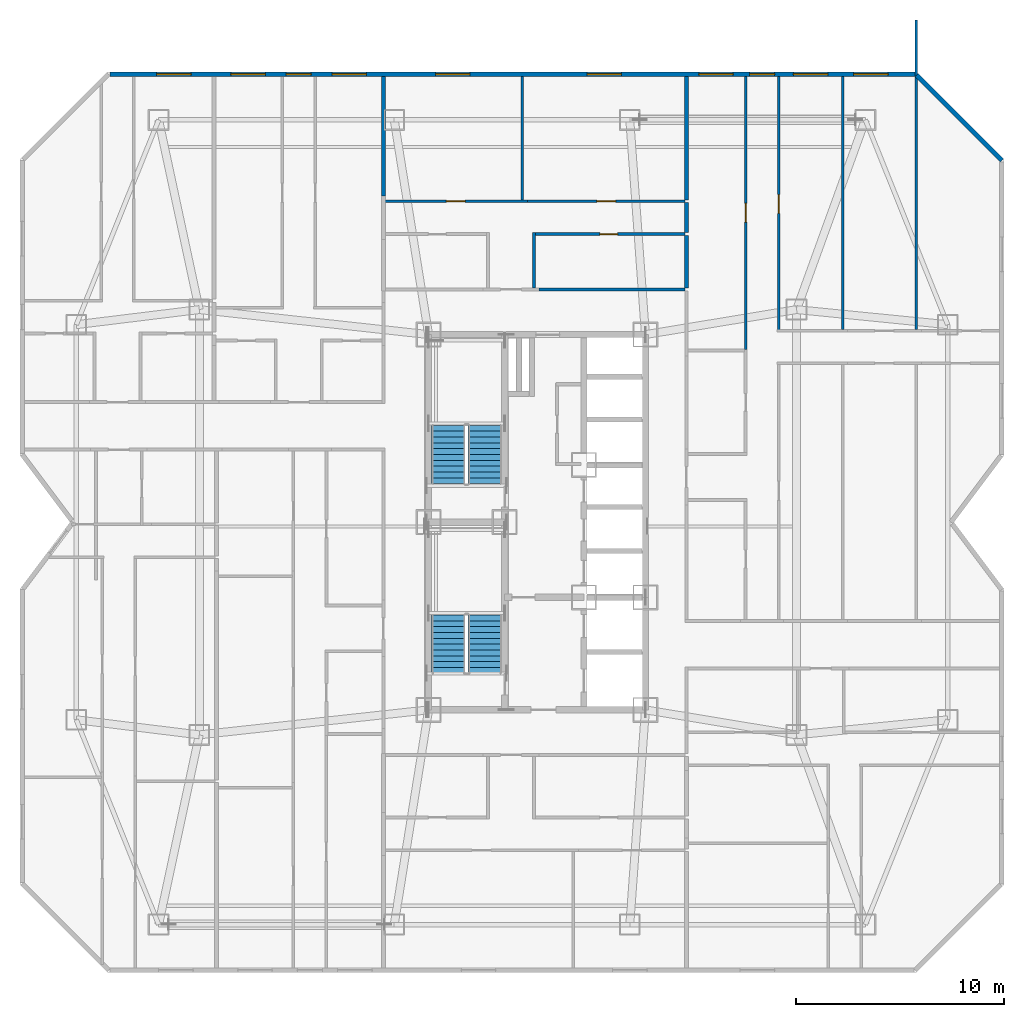
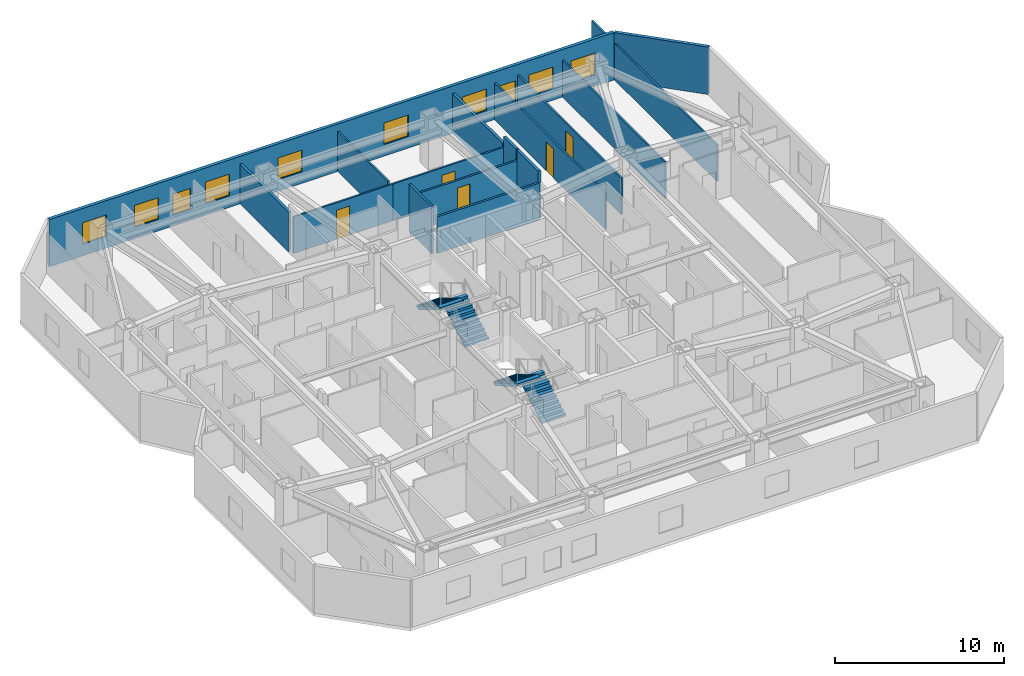
# One storey, part 10 of 11: 16 walls, 10 windows, 5 doors, 4 stair flights, 15 openings, 2 elements without a shape of their own.
"""IFC4 building model written with IfcOpenShell, lengths in metres."""

from ifc_helpers import new_model, si_unit, direction, frame, frame_2d, origin, place, context, subcontext, project, spatial, polyline, rectangle, outline, extrude, material, layer, layer_set, type_object, element, fill, aggregate, save


model = new_model("IFC4")

# Units and contexts
model_context = context("Model", 3, precision=1e-05, world=origin(), true_north=direction((0.0, 1.0)))
body_context = subcontext(model_context, "Body", "Model", "MODEL_VIEW")
ifc_project = project(units=[si_unit("LENGTHUNIT", "METRE"), si_unit("AREAUNIT", "SQUARE_METRE"), si_unit("VOLUMEUNIT", "CUBIC_METRE"), si_unit("PLANEANGLEUNIT", "RADIAN"), si_unit("MASSUNIT", "GRAM", prefix="KILO")], contexts=[model_context])

# Site, building, storey
site_placement = place(None, origin())
site = spatial("IfcSite", under=ifc_project, at=site_placement, CompositionType="ELEMENT")
building_placement = place(site_placement, origin())
building = spatial("IfcBuilding", under=site, at=building_placement, Name="Khamvora Tower", CompositionType="ELEMENT")
storey_placement = place(building_placement, frame((0.0, 0.0, 116.5)))
storey = spatial("IfcBuildingStorey", under=building, at=storey_placement, Name="L29", CompositionType="ELEMENT", Elevation=116.5)

# Walls
ifc_material_1 = material(Name="Fire-Rated Drywall and Steel Stud", Category="steel")
ifc_layer_1 = layer(ifc_material_1, 0.14990234375)
ifc_layer_set_1 = layer_set([ifc_layer_1], Name="Fire-Rated Drywall and Steel Stud")
wall_type_1 = type_object("IfcWallType", Name="WAL-CORR-150", PredefinedType="STANDARD", material=ifc_layer_set_1)
wall_1_placement = place(storey_placement, frame((34.299072265625, 39.1650390625, 0.0), z_axis=(0.0, 0.0, 1.0), x_axis=(1.0, 0.0, 0.0)))
element("IfcWall", 1, at=wall_1_placement, inside=storey, type_object=wall_type_1, Name="L29 interior partition wall 028", PredefinedType="STANDARD", context=body_context, shape_type="SweptSolid", body=[
    extrude(rectangle(XDim=7.0009765625, YDim=0.14990234375, at=frame_2d((3.50048828125, 0.0))), origin(), (0.0, 0.0, 1.0), 2.64697265625),
])
ifc_material_2 = material(Name="Acoustic Double-Stud Fire Wall", Category="gypsum")
ifc_layer_2 = layer(ifc_material_2, 0.179931640625)
ifc_layer_set_2 = layer_set([ifc_layer_2], Name="Acoustic Double-Stud Fire Wall")
wall_type_2 = type_object("IfcWallType", Name="WAL-CORR-180", PredefinedType="STANDARD", material=ifc_layer_set_2)
wall_2_placement = place(storey_placement, frame((26.8349609375, 49.387939453125, 0.0), z_axis=(0.0, 0.0, 1.0), x_axis=(0.0, -1.0, 0.0)))
element("IfcWall", 2, at=wall_2_placement, inside=storey, type_object=wall_type_2, Name="L29 interior partition wall 096", PredefinedType="STANDARD", context=body_context, shape_type="SweptSolid", body=[
    extrude(rectangle(XDim=5.737060546875, YDim=0.179931640625, at=frame_2d((2.86865234375, 0.0))), origin(), (0.0, 0.0, 1.0), 2.8759765625),
])
wall_3_placement = place(storey_placement, frame((41.364990234375, 43.3369140625, 0.0), z_axis=(0.0, 0.0, 1.0), x_axis=(0.0, -1.0, 0.0)))
element("IfcWall", 3, at=wall_3_placement, inside=storey, type_object=wall_type_2, Name="L29 interior partition wall 115", PredefinedType="STANDARD", context=body_context, shape_type="SweptSolid", body=[
    extrude(rectangle(XDim=1.449951171875, YDim=0.179931640625, at=frame_2d((0.72509765625, 0.0))), origin(), (0.0, 0.0, 1.0), 3.429931640625),
])
wall_4_placement = place(storey_placement, frame((41.364990234375, 41.757080078125, 0.0), z_axis=(0.0, 0.0, 1.0), x_axis=(0.0, -1.0, 0.0)))
element("IfcWall", 4, at=wall_4_placement, inside=storey, type_object=wall_type_2, Name="L29 interior partition wall 116", PredefinedType="STANDARD", context=body_context, shape_type="SweptSolid", body=[
    extrude(rectangle(XDim=2.527099609375, YDim=0.179931640625, at=frame_2d((1.263671875, 0.0))), origin(), (0.0, 0.0, 1.0), 3.429931640625),
])
wall_5_placement = place(storey_placement, frame((41.364990234375, 49.387939453125, 0.0), z_axis=(0.0, 0.0, 1.0), x_axis=(0.0, -1.0, 0.0)))
element("IfcWall", 5, at=wall_5_placement, inside=storey, type_object=wall_type_2, Name="L29 interior partition wall 118", PredefinedType="STANDARD", context=body_context, shape_type="SweptSolid", body=[
    extrude(rectangle(XDim=5.9208984375, YDim=0.179931640625, at=frame_2d((2.96044921875, 0.0))), origin(), (0.0, 0.0, 1.0), 2.8759765625),
])

# Wall, openings, windows
ifc_material_3 = material(Name="Precast concrete C40/50", Category="concrete")
ifc_layer_3 = layer(ifc_material_3, 0.219970703125)
ifc_layer_set_3 = layer_set([ifc_layer_3], Name="Precast concrete C40/50")
wall_type_3 = type_object("IfcWallType", Name="WAL-EXT-220", PredefinedType="STANDARD", material=ifc_layer_set_3)
wall_6_placement = place(storey_placement, frame((13.715087890625, 49.489990234375, 0.0), z_axis=(0.0, 0.0, 1.0), x_axis=(1.0, 0.0, 0.0)))
wall_6 = element("IfcWall", 6, at=wall_6_placement, inside=storey, type_object=wall_type_3, Name="L29 exterior facade wall 07.1", PredefinedType="STANDARD", context=body_context, shape_type="SweptSolid", body=[
    extrude(rectangle(XDim=38.638916015625, YDim=0.219970703125, at=frame_2d((19.3193359375, 0.0))), origin(), (0.0, 0.0, 1.0), 3.429931640625),
])
opening_1_placement = place(wall_6_placement, frame((2.242919921875, 0.0, 0.85009765625)))
opening_1 = element("IfcOpeningElement", 7, at=opening_1_placement, cuts=wall_6, Name="Opening WN-06", PredefinedType="OPENING", context=body_context, shape_type="SweptSolid", body=[
    extrude(rectangle(XDim=1.64990234375, YDim=1.550048828125, at=frame_2d((0.824951171875, 0.77490234375))), frame((0.0, 0.119873046875, 0.0), z_axis=(0.0, -1.0, 0.0), x_axis=(1.0, 0.0, 0.0)), (0.0, 0.0, 1.0), 0.239990234375),
])
opening_2_placement = place(wall_6_placement, frame((8.455078125, 0.0, 0.800048828125)))
opening_2 = element("IfcOpeningElement", 8, at=opening_2_placement, cuts=wall_6, Name="Opening WN-03", PredefinedType="OPENING", context=body_context, shape_type="SweptSolid", body=[
    extrude(rectangle(XDim=1.199951171875, YDim=1.5, at=frame_2d((0.60009765625, 0.75))), frame((0.0, 0.119873046875, 0.0), z_axis=(0.0, -1.0, 0.0), x_axis=(1.0, 0.0, 0.0)), (0.0, 0.0, 1.0), 0.239990234375),
])
opening_3_placement = place(wall_6_placement, frame((5.804931640625, 0.0, 0.85009765625)))
opening_3 = element("IfcOpeningElement", 9, at=opening_3_placement, cuts=wall_6, Name="Opening WN-06", PredefinedType="OPENING", context=body_context, shape_type="SweptSolid", body=[
    extrude(rectangle(XDim=1.64990234375, YDim=1.550048828125, at=frame_2d((0.824951171875, 0.77490234375))), frame((0.0, 0.119873046875, 0.0), z_axis=(0.0, -1.0, 0.0), x_axis=(1.0, 0.0, 0.0)), (0.0, 0.0, 1.0), 0.239990234375),
])
opening_4_placement = place(wall_6_placement, frame((10.655029296875, 0.0, 0.85009765625)))
opening_4 = element("IfcOpeningElement", 10, at=opening_4_placement, cuts=wall_6, Name="Opening WN-06", PredefinedType="OPENING", context=body_context, shape_type="SweptSolid", body=[
    extrude(rectangle(XDim=1.64990234375, YDim=1.550048828125, at=frame_2d((0.824951171875, 0.77490234375))), frame((0.0, 0.119873046875, 0.0), z_axis=(0.0, -1.0, 0.0), x_axis=(1.0, 0.0, 0.0)), (0.0, 0.0, 1.0), 0.239990234375),
])
opening_5_placement = place(wall_6_placement, frame((15.6201171875, 0.0, 0.85009765625)))
opening_5 = element("IfcOpeningElement", 11, at=opening_5_placement, cuts=wall_6, Name="Opening WN-06", PredefinedType="OPENING", context=body_context, shape_type="SweptSolid", body=[
    extrude(rectangle(XDim=1.64990234375, YDim=1.550048828125, at=frame_2d((0.824951171875, 0.77490234375))), frame((0.0, 0.119873046875, 0.0), z_axis=(0.0, -1.0, 0.0), x_axis=(1.0, 0.0, 0.0)), (0.0, 0.0, 1.0), 0.239990234375),
])
opening_6_placement = place(wall_6_placement, frame((22.885009765625, 0.0, 0.85009765625)))
opening_6 = element("IfcOpeningElement", 12, at=opening_6_placement, cuts=wall_6, Name="Opening WN-06", PredefinedType="OPENING", context=body_context, shape_type="SweptSolid", body=[
    extrude(rectangle(XDim=1.64990234375, YDim=1.550048828125, at=frame_2d((0.824951171875, 0.77490234375))), frame((0.0, 0.119873046875, 0.0), z_axis=(0.0, -1.0, 0.0), x_axis=(1.0, 0.0, 0.0)), (0.0, 0.0, 1.0), 0.239990234375),
])
opening_7_placement = place(wall_6_placement, frame((28.2451171875, 0.0, 0.85009765625)))
opening_7 = element("IfcOpeningElement", 13, at=opening_7_placement, cuts=wall_6, Name="Opening WN-06", PredefinedType="OPENING", context=body_context, shape_type="SweptSolid", body=[
    extrude(rectangle(XDim=1.64990234375, YDim=1.550048828125, at=frame_2d((0.824951171875, 0.77490234375))), frame((0.0, 0.119873046875, 0.0), z_axis=(0.0, -1.0, 0.0), x_axis=(1.0, 0.0, 0.0)), (0.0, 0.0, 1.0), 0.239990234375),
])
opening_8_placement = place(wall_6_placement, frame((30.680908203125, 0.0, 0.800048828125)))
opening_8 = element("IfcOpeningElement", 14, at=opening_8_placement, cuts=wall_6, Name="Opening WN-03", PredefinedType="OPENING", context=body_context, shape_type="SweptSolid", body=[
    extrude(rectangle(XDim=1.199951171875, YDim=1.5, at=frame_2d((0.60009765625, 0.75))), frame((0.0, 0.119873046875, 0.0), z_axis=(0.0, -1.0, 0.0), x_axis=(1.0, 0.0, 0.0)), (0.0, 0.0, 1.0), 0.239990234375),
])
opening_9_placement = place(wall_6_placement, frame((32.781005859375, 0.0, 0.85009765625)))
opening_9 = element("IfcOpeningElement", 15, at=opening_9_placement, cuts=wall_6, Name="Opening WN-06", PredefinedType="OPENING", context=body_context, shape_type="SweptSolid", body=[
    extrude(rectangle(XDim=1.64990234375, YDim=1.550048828125, at=frame_2d((0.824951171875, 0.77490234375))), frame((0.0, 0.119873046875, 0.0), z_axis=(0.0, -1.0, 0.0), x_axis=(1.0, 0.0, 0.0)), (0.0, 0.0, 1.0), 0.239990234375),
])
opening_10_placement = place(wall_6_placement, frame((35.672119140625, 0.0, 0.85009765625)))
opening_10 = element("IfcOpeningElement", 16, at=opening_10_placement, cuts=wall_6, Name="Opening WN-06", PredefinedType="OPENING", context=body_context, shape_type="SweptSolid", body=[
    extrude(rectangle(XDim=1.64990234375, YDim=1.550048828125, at=frame_2d((0.824951171875, 0.77490234375))), frame((0.0, 0.119873046875, 0.0), z_axis=(0.0, -1.0, 0.0), x_axis=(1.0, 0.0, 0.0)), (0.0, 0.0, 1.0), 0.239990234375),
])
ifc_material_4 = material(Name="Low-E Laminated Double Glazing", Category="glass")
window_type_1 = type_object("IfcWindowType", Name="WIN-VIS-1200x1500", PartitioningType="SINGLE_PANEL", PredefinedType="WINDOW", material=ifc_material_4)
window_1_placement = place(opening_2_placement, origin())
window_1 = element("IfcWindow", 17, at=window_1_placement, inside=storey, type_object=window_type_1, Name="L29 vision window 07.1.02", OverallHeight=1.5, OverallWidth=1.199951171875, PartitioningType="SINGLE_PANEL", PredefinedType="WINDOW", context=body_context, shape_type="SweptSolid", body=[
    extrude(rectangle(XDim=1.199951171875, YDim=1.5, at=frame_2d((0.60009765625, 0.75))), frame((0.0, 0.030029296875, 0.0), z_axis=(0.0, -1.0, 0.0), x_axis=(1.0, 0.0, 0.0)), (0.0, 0.0, 1.0), 0.06005859375),
])
fill(opening_2, window_1)
window_2_placement = place(opening_8_placement, origin())
window_2 = element("IfcWindow", 18, at=window_2_placement, inside=storey, type_object=window_type_1, Name="L29 vision window 07.1.08", OverallHeight=1.5, OverallWidth=1.199951171875, PartitioningType="SINGLE_PANEL", PredefinedType="WINDOW", context=body_context, shape_type="SweptSolid", body=[
    extrude(rectangle(XDim=1.199951171875, YDim=1.5, at=frame_2d((0.60009765625, 0.75))), frame((0.0, 0.030029296875, 0.0), z_axis=(0.0, -1.0, 0.0), x_axis=(1.0, 0.0, 0.0)), (0.0, 0.0, 1.0), 0.06005859375),
])
fill(opening_8, window_2)
window_type_2 = type_object("IfcWindowType", Name="WIN-VIS-1650x1550", PartitioningType="SINGLE_PANEL", PredefinedType="WINDOW", material=ifc_material_4)
window_3_placement = place(opening_1_placement, origin())
window_3 = element("IfcWindow", 19, at=window_3_placement, inside=storey, type_object=window_type_2, Name="L29 vision window 07.1.01", OverallHeight=1.550048828125, OverallWidth=1.64990234375, PartitioningType="SINGLE_PANEL", PredefinedType="WINDOW", context=body_context, shape_type="SweptSolid", body=[
    extrude(rectangle(XDim=1.64990234375, YDim=1.550048828125, at=frame_2d((0.824951171875, 0.77490234375))), frame((0.0, 0.030029296875, 0.0), z_axis=(0.0, -1.0, 0.0), x_axis=(1.0, 0.0, 0.0)), (0.0, 0.0, 1.0), 0.06005859375),
])
fill(opening_1, window_3)
window_4_placement = place(opening_3_placement, origin())
window_4 = element("IfcWindow", 20, at=window_4_placement, inside=storey, type_object=window_type_2, Name="L29 vision window 07.1.03", OverallHeight=1.550048828125, OverallWidth=1.64990234375, PartitioningType="SINGLE_PANEL", PredefinedType="WINDOW", context=body_context, shape_type="SweptSolid", body=[
    extrude(rectangle(XDim=1.64990234375, YDim=1.550048828125, at=frame_2d((0.824951171875, 0.77490234375))), frame((0.0, 0.030029296875, 0.0), z_axis=(0.0, -1.0, 0.0), x_axis=(1.0, 0.0, 0.0)), (0.0, 0.0, 1.0), 0.06005859375),
])
fill(opening_3, window_4)
window_5_placement = place(opening_4_placement, origin())
window_5 = element("IfcWindow", 21, at=window_5_placement, inside=storey, type_object=window_type_2, Name="L29 vision window 07.1.04", OverallHeight=1.550048828125, OverallWidth=1.64990234375, PartitioningType="SINGLE_PANEL", PredefinedType="WINDOW", context=body_context, shape_type="SweptSolid", body=[
    extrude(rectangle(XDim=1.64990234375, YDim=1.550048828125, at=frame_2d((0.824951171875, 0.77490234375))), frame((0.0, 0.030029296875, 0.0), z_axis=(0.0, -1.0, 0.0), x_axis=(1.0, 0.0, 0.0)), (0.0, 0.0, 1.0), 0.06005859375),
])
fill(opening_4, window_5)
window_6_placement = place(opening_5_placement, origin())
window_6 = element("IfcWindow", 22, at=window_6_placement, inside=storey, type_object=window_type_2, Name="L29 vision window 07.1.05", OverallHeight=1.550048828125, OverallWidth=1.64990234375, PartitioningType="SINGLE_PANEL", PredefinedType="WINDOW", context=body_context, shape_type="SweptSolid", body=[
    extrude(rectangle(XDim=1.64990234375, YDim=1.550048828125, at=frame_2d((0.824951171875, 0.77490234375))), frame((0.0, 0.030029296875, 0.0), z_axis=(0.0, -1.0, 0.0), x_axis=(1.0, 0.0, 0.0)), (0.0, 0.0, 1.0), 0.06005859375),
])
fill(opening_5, window_6)
window_7_placement = place(opening_6_placement, origin())
window_7 = element("IfcWindow", 23, at=window_7_placement, inside=storey, type_object=window_type_2, Name="L29 vision window 07.1.06", OverallHeight=1.550048828125, OverallWidth=1.64990234375, PartitioningType="SINGLE_PANEL", PredefinedType="WINDOW", context=body_context, shape_type="SweptSolid", body=[
    extrude(rectangle(XDim=1.64990234375, YDim=1.550048828125, at=frame_2d((0.824951171875, 0.77490234375))), frame((0.0, 0.030029296875, 0.0), z_axis=(0.0, -1.0, 0.0), x_axis=(1.0, 0.0, 0.0)), (0.0, 0.0, 1.0), 0.06005859375),
])
fill(opening_6, window_7)
window_8_placement = place(opening_7_placement, origin())
window_8 = element("IfcWindow", 24, at=window_8_placement, inside=storey, type_object=window_type_2, Name="L29 vision window 07.1.07", OverallHeight=1.550048828125, OverallWidth=1.64990234375, PartitioningType="SINGLE_PANEL", PredefinedType="WINDOW", context=body_context, shape_type="SweptSolid", body=[
    extrude(rectangle(XDim=1.64990234375, YDim=1.550048828125, at=frame_2d((0.824951171875, 0.77490234375))), frame((0.0, 0.030029296875, 0.0), z_axis=(0.0, -1.0, 0.0), x_axis=(1.0, 0.0, 0.0)), (0.0, 0.0, 1.0), 0.06005859375),
])
fill(opening_7, window_8)
window_9_placement = place(opening_9_placement, origin())
window_9 = element("IfcWindow", 25, at=window_9_placement, inside=storey, type_object=window_type_2, Name="L29 vision window 07.1.09", OverallHeight=1.550048828125, OverallWidth=1.64990234375, PartitioningType="SINGLE_PANEL", PredefinedType="WINDOW", context=body_context, shape_type="SweptSolid", body=[
    extrude(rectangle(XDim=1.64990234375, YDim=1.550048828125, at=frame_2d((0.824951171875, 0.77490234375))), frame((0.0, 0.030029296875, 0.0), z_axis=(0.0, -1.0, 0.0), x_axis=(1.0, 0.0, 0.0)), (0.0, 0.0, 1.0), 0.06005859375),
])
fill(opening_9, window_9)
window_10_placement = place(opening_10_placement, origin())
window_10 = element("IfcWindow", 26, at=window_10_placement, inside=storey, type_object=window_type_2, Name="L29 vision window 07.1.10", OverallHeight=1.550048828125, OverallWidth=1.64990234375, PartitioningType="SINGLE_PANEL", PredefinedType="WINDOW", context=body_context, shape_type="SweptSolid", body=[
    extrude(rectangle(XDim=1.64990234375, YDim=1.550048828125, at=frame_2d((0.824951171875, 0.77490234375))), frame((0.0, 0.030029296875, 0.0), z_axis=(0.0, -1.0, 0.0), x_axis=(1.0, 0.0, 0.0)), (0.0, 0.0, 1.0), 0.06005859375),
])
fill(opening_10, window_10)

# Wall
wall_7_placement = place(storey_placement, frame((52.402099609375, 49.44189453125, 0.0), z_axis=(0.0, 0.0, 1.0), x_axis=(0.707106781187, -0.707106781187, 0.0)))
element("IfcWall", 27, at=wall_7_placement, inside=storey, type_object=wall_type_3, Name="L29 exterior facade wall 08.1", PredefinedType="STANDARD", context=body_context, shape_type="SweptSolid", body=[
    extrude(rectangle(XDim=5.78125, YDim=0.219970703125, at=frame_2d((2.890625, 0.0))), origin(), (0.0, 0.0, 1.0), 3.429931640625),
])

# Wall, opening, door
ifc_material_5 = material(Name="Gypsum Plasterboard Partition", Category="gypsum")
ifc_layer_4 = layer(ifc_material_5, 0.1201171875)
ifc_layer_set_4 = layer_set([ifc_layer_4], Name="Gypsum Plasterboard Partition")
wall_type_4 = type_object("IfcWallType", Name="WAL-PART-120", PredefinedType="PARTITIONING", material=ifc_layer_set_4)
wall_8_placement = place(storey_placement, frame((26.9169921875, 43.402099609375, 0.0), z_axis=(0.0, 0.0, 1.0), x_axis=(1.0, 0.0, 0.0)))
wall_8 = element("IfcWall", 28, at=wall_8_placement, inside=storey, type_object=wall_type_4, Name="L29 interior partition wall 113", PredefinedType="PARTITIONING", context=body_context, shape_type="SweptSolid", body=[
    extrude(rectangle(XDim=6.81689453125, YDim=0.1201171875, at=frame_2d((3.408447265625, 0.0))), origin(), (0.0, 0.0, 1.0), 2.64697265625),
])
opening_11_placement = place(wall_8_placement, frame((2.93701171875, 0.0, 0.0)))
opening_11 = element("IfcOpeningElement", 29, at=opening_11_placement, cuts=wall_8, Name="Opening D-RM1", PredefinedType="OPENING", context=body_context, shape_type="SweptSolid", body=[
    extrude(rectangle(XDim=0.89990234375, YDim=2.10009765625, at=frame_2d((0.449951171875, 1.050048828125))), frame((0.0, 0.070068359375, 0.0), z_axis=(0.0, -1.0, 0.0), x_axis=(1.0, 0.0, 0.0)), (0.0, 0.0, 1.0), 0.14013671875),
])
ifc_material_6 = material(Name="Powder-Coated Steel and Hardwood Leaf", Category="steel")
door_type_1 = type_object("IfcDoorType", Name="DOR-ROOM-900", OperationType="NOTDEFINED", PredefinedType="DOOR", material=ifc_material_6)
door_1_placement = place(opening_11_placement, origin())
door_1 = element("IfcDoor", 30, at=door_1_placement, inside=storey, type_object=door_type_1, Name="L29 interior door 29NAH-29NAR1", OperationType="SINGLE_SWING_RIGHT", OverallHeight=2.10009765625, OverallWidth=0.89990234375, PredefinedType="DOOR", context=body_context, shape_type="SweptSolid", body=[
    extrude(rectangle(XDim=0.89990234375, YDim=2.10009765625, at=frame_2d((0.449951171875, 1.050048828125))), frame((0.0, 0.02490234375, 0.0), z_axis=(0.0, -1.0, 0.0), x_axis=(1.0, 0.0, 0.0)), (0.0, 0.0, 1.0), 0.050048828125),
])
fill(opening_11, door_1)

wall_9_placement = place(storey_placement, frame((33.73388671875, 43.402099609375, 0.0), z_axis=(0.0, 0.0, 1.0), x_axis=(1.0, 0.0, 0.0)))
wall_9 = element("IfcWall", 31, at=wall_9_placement, inside=storey, type_object=wall_type_4, Name="L29 interior partition wall 114", PredefinedType="PARTITIONING", context=body_context, shape_type="SweptSolid", body=[
    extrude(rectangle(XDim=7.566162109375, YDim=0.1201171875, at=frame_2d((3.783203125, 0.0))), origin(), (0.0, 0.0, 1.0), 2.64697265625),
])
opening_12_placement = place(wall_9_placement, frame((3.3330078125, 0.0, 0.0)))
opening_12 = element("IfcOpeningElement", 32, at=opening_12_placement, cuts=wall_9, Name="Opening D-RM1", PredefinedType="OPENING", context=body_context, shape_type="SweptSolid", body=[
    extrude(rectangle(XDim=0.89990234375, YDim=2.10009765625, at=frame_2d((0.449951171875, 1.050048828125))), frame((0.0, 0.070068359375, 0.0), z_axis=(0.0, -1.0, 0.0), x_axis=(1.0, 0.0, 0.0)), (0.0, 0.0, 1.0), 0.14013671875),
])
door_2_placement = place(opening_12_placement, origin())
door_2 = element("IfcDoor", 33, at=door_2_placement, inside=storey, type_object=door_type_1, Name="L29 interior door 29NAH-29NAR2", OperationType="SINGLE_SWING_LEFT", OverallHeight=2.10009765625, OverallWidth=0.89990234375, PredefinedType="DOOR", context=body_context, shape_type="SweptSolid", body=[
    extrude(rectangle(XDim=0.89990234375, YDim=2.10009765625, at=frame_2d((0.449951171875, 1.050048828125))), frame((0.0, 0.02490234375, 0.0), z_axis=(0.0, -1.0, 0.0), x_axis=(1.0, 0.0, 0.0)), (0.0, 0.0, 1.0), 0.050048828125),
])
fill(opening_12, door_2)

# Wall
wall_10_placement = place(storey_placement, frame((33.48388671875, 49.387939453125, 0.0), z_axis=(0.0, 0.0, 1.0), x_axis=(0.0, -1.0, 0.0)))
element("IfcWall", 34, at=wall_10_placement, inside=storey, type_object=wall_type_4, Name="L29 interior partition wall 117", PredefinedType="PARTITIONING", context=body_context, shape_type="SweptSolid", body=[
    extrude(rectangle(XDim=5.931884765625, YDim=0.1201171875, at=frame_2d((2.9658203125, 0.0))), origin(), (0.0, 0.0, 1.0), 2.8759765625),
])

# Wall, opening, door
wall_11_placement = place(storey_placement, frame((44.2060546875, 49.387939453125, 0.0), z_axis=(0.0, 0.0, 1.0), x_axis=(0.0, -1.0, 0.0)))
wall_11 = element("IfcWall", 35, at=wall_11_placement, inside=storey, type_object=wall_type_4, Name="L29 interior partition wall 129", PredefinedType="PARTITIONING", context=body_context, shape_type="SweptSolid", body=[
    extrude(rectangle(XDim=13.092041015625, YDim=0.1201171875, at=frame_2d((6.5458984375, 0.0))), origin(), (0.0, 0.0, 1.0), 2.64697265625),
])
opening_13_placement = place(wall_11_placement, frame((6.095947265625, 0.0, 0.0)))
opening_13 = element("IfcOpeningElement", 36, at=opening_13_placement, cuts=wall_11, Name="Opening D-RM1", PredefinedType="OPENING", context=body_context, shape_type="SweptSolid", body=[
    extrude(rectangle(XDim=0.89990234375, YDim=2.10009765625, at=frame_2d((0.449951171875, 1.050048828125))), frame((0.0, 0.070068359375, 0.0), z_axis=(0.0, -1.0, 0.0), x_axis=(1.0, 0.0, 0.0)), (0.0, 0.0, 1.0), 0.14013671875),
])
door_3_placement = place(opening_13_placement, origin())
door_3 = element("IfcDoor", 37, at=door_3_placement, inside=storey, type_object=door_type_1, Name="L29 interior door 29EBW2-29EBH", OperationType="SINGLE_SWING_LEFT", OverallHeight=2.10009765625, OverallWidth=0.89990234375, PredefinedType="DOOR", context=body_context, shape_type="SweptSolid", body=[
    extrude(rectangle(XDim=0.89990234375, YDim=2.10009765625, at=frame_2d((0.449951171875, 1.050048828125))), frame((0.0, 0.02490234375, 0.0), z_axis=(0.0, -1.0, 0.0), x_axis=(1.0, 0.0, 0.0)), (0.0, 0.0, 1.0), 0.050048828125),
])
fill(opening_13, door_3)

wall_12_placement = place(storey_placement, frame((45.785888671875, 49.387939453125, 0.0), z_axis=(0.0, 0.0, 1.0), x_axis=(0.0, -1.0, 0.0)))
wall_12 = element("IfcWall", 38, at=wall_12_placement, inside=storey, type_object=wall_type_4, Name="L29 interior partition wall 139", PredefinedType="PARTITIONING", context=body_context, shape_type="SweptSolid", body=[
    extrude(rectangle(XDim=12.258056640625, YDim=0.1201171875, at=frame_2d((6.12890625, 0.0))), origin(), (0.0, 0.0, 1.0), 2.64697265625),
])
opening_14_placement = place(wall_12_placement, frame((5.678955078125, 0.0, 0.0)))
opening_14 = element("IfcOpeningElement", 39, at=opening_14_placement, cuts=wall_12, Name="Opening D-RM1", PredefinedType="OPENING", context=body_context, shape_type="SweptSolid", body=[
    extrude(rectangle(XDim=0.89990234375, YDim=2.10009765625, at=frame_2d((0.449951171875, 1.050048828125))), frame((0.0, 0.070068359375, 0.0), z_axis=(0.0, -1.0, 0.0), x_axis=(1.0, 0.0, 0.0)), (0.0, 0.0, 1.0), 0.14013671875),
])
door_4_placement = place(opening_14_placement, origin())
door_4 = element("IfcDoor", 40, at=door_4_placement, inside=storey, type_object=door_type_1, Name="L29 interior door 29EBH-29EBR4", OperationType="SINGLE_SWING_LEFT", OverallHeight=2.10009765625, OverallWidth=0.89990234375, PredefinedType="DOOR", context=body_context, shape_type="SweptSolid", body=[
    extrude(rectangle(XDim=0.89990234375, YDim=2.10009765625, at=frame_2d((0.449951171875, 1.050048828125))), frame((0.0, 0.02490234375, 0.0), z_axis=(0.0, -1.0, 0.0), x_axis=(1.0, 0.0, 0.0)), (0.0, 0.0, 1.0), 0.050048828125),
])
fill(opening_14, door_4)

# Walls
wall_13_placement = place(storey_placement, frame((48.85498046875, 49.387939453125, 0.0), z_axis=(0.0, 0.0, 1.0), x_axis=(0.0, -1.0, 0.0)))
element("IfcWall", 41, at=wall_13_placement, inside=storey, type_object=wall_type_4, Name="L29 interior partition wall 145", PredefinedType="PARTITIONING", context=body_context, shape_type="SweptSolid", body=[
    extrude(rectangle(XDim=12.138916015625, YDim=0.1201171875, at=frame_2d((6.0693359375, 0.0))), origin(), (0.0, 0.0, 1.0), 2.64697265625),
])
wall_14_placement = place(storey_placement, frame((52.402099609375, 52.090087890625, 0.0), z_axis=(0.0, 0.0, 1.0), x_axis=(0.0, -1.0, 0.0)))
element("IfcWall", 42, at=wall_14_placement, inside=storey, type_object=wall_type_4, Name="L29 interior partition wall 146", PredefinedType="PARTITIONING", context=body_context, shape_type="SweptSolid", body=[
    extrude(rectangle(XDim=14.841064453125, YDim=0.1201171875, at=frame_2d((7.42041015625, 0.0))), origin(), (0.0, 0.0, 1.0), 2.64697265625),
])

# Wall, opening, door
ifc_material_7 = material(Name="Moisture-Resistant Plasterboard Partition", Category="gypsum")
ifc_layer_5 = layer(ifc_material_7, 0.135009765625)
ifc_layer_set_5 = layer_set([ifc_layer_5], Name="Moisture-Resistant Plasterboard Partition")
wall_type_5 = type_object("IfcWallType", Name="WAL-WET-135", PredefinedType="PARTITIONING", material=ifc_layer_set_5)
wall_15_placement = place(storey_placement, frame((41.300048828125, 41.822021484375, 0.0), z_axis=(0.0, 0.0, 1.0), x_axis=(-1.0, 0.0, 0.0)))
wall_15 = element("IfcWall", 43, at=wall_15_placement, inside=storey, type_object=wall_type_5, Name="L29 interior partition wall 111", PredefinedType="PARTITIONING", context=body_context, shape_type="SweptSolid", body=[
    extrude(rectangle(XDim=7.31494140625, YDim=0.135009765625, at=frame_2d((3.657470703125, 0.0))), origin(), (0.0, 0.0, 1.0), 2.64697265625),
])
opening_15_placement = place(wall_15_placement, frame((3.23291015625, 0.0, 0.0)))
opening_15 = element("IfcOpeningElement", 44, at=opening_15_placement, cuts=wall_15, Name="Opening D-RM2", PredefinedType="OPENING", context=body_context, shape_type="SweptSolid", body=[
    extrude(rectangle(XDim=0.85009765625, YDim=2.10009765625, at=frame_2d((0.425048828125, 1.050048828125))), frame((0.0, 0.077392578125, 0.0), z_axis=(0.0, -1.0, 0.0), x_axis=(1.0, 0.0, 0.0)), (0.0, 0.0, 1.0), 0.155029296875),
])
door_type_2 = type_object("IfcDoorType", Name="DOR-ROOM-850", OperationType="NOTDEFINED", PredefinedType="DOOR", material=ifc_material_6)
door_5_placement = place(opening_15_placement, origin())
door_5 = element("IfcDoor", 45, at=door_5_placement, inside=storey, type_object=door_type_2, Name="L29 interior door 29NAH-29NAK", OperationType="SINGLE_SWING_LEFT", OverallHeight=2.10009765625, OverallWidth=0.85009765625, PredefinedType="DOOR", context=body_context, shape_type="SweptSolid", body=[
    extrude(rectangle(XDim=0.85009765625, YDim=2.10009765625, at=frame_2d((0.425048828125, 1.050048828125))), frame((0.0, 0.02490234375, 0.0), z_axis=(0.0, -1.0, 0.0), x_axis=(1.0, 0.0, 0.0)), (0.0, 0.0, 1.0), 0.050048828125),
])
fill(opening_15, door_5)

# Wall
wall_16_placement = place(storey_placement, frame((34.050048828125, 41.886962890625, 0.0), z_axis=(0.0, 0.0, 1.0), x_axis=(0.0, -1.0, 0.0)))
element("IfcWall", 46, at=wall_16_placement, inside=storey, type_object=wall_type_5, Name="L29 interior partition wall 112", PredefinedType="PARTITIONING", context=body_context, shape_type="SweptSolid", body=[
    extrude(rectangle(XDim=2.655029296875, YDim=0.135009765625, at=frame_2d((1.32763671875, 0.0))), origin(), (0.0, 0.0, 1.0), 3.429931640625),
])

# Stair, stair flights
ifc_material_8 = material(Name="Concrete C40/50", Category="concrete")
stair_type_1 = type_object("IfcStairType", Name="STR-ST-01", PredefinedType="HALF_TURN_STAIR", material=ifc_material_8)
stair_1_placement = place(storey_placement, origin())
stair_1 = element("IfcStair", 47, at=stair_1_placement, inside=storey, type_object=stair_type_1, Name="L29 South Tower Exit Stair ST-01", PredefinedType="HALF_TURN_STAIR")
stair_flight_type_1 = type_object("IfcStairFlightType", Name="STF-ST-01", PredefinedType="STRAIGHT", material=ifc_material_8)
stair_flight_1_placement = place(storey_placement, frame((31.699951171875, 20.75, 0.0), z_axis=(0.0, 0.0, 1.0), x_axis=(0.0, 1.0, 0.0)))
stair_flight_1 = element("IfcStairFlight", 48, at=stair_flight_1_placement, type_object=stair_flight_type_1, Name="ST-01 flight 1", NumberOfRisers=11, NumberOfTreads=10, PredefinedType="STRAIGHT", RiserHeight=0.165909091, TreadLength=0.28, context=body_context, shape_type="SweptSolid", body=[
    extrude(outline(polyline([(0.0, 0.0), (0.0, 0.166015625), (0.280029296875, 0.166015625), (0.280029296875, 0.331787109375), (0.56005859375, 0.331787109375), (0.56005859375, 0.497802734375), (0.840087890625, 0.497802734375), (0.840087890625, 0.66357421875), (1.1201171875, 0.66357421875), (1.1201171875, 0.82958984375), (1.39990234375, 0.82958984375), (1.39990234375, 0.995361328125), (1.679931640625, 0.995361328125), (1.679931640625, 1.161376953125), (1.9599609375, 1.161376953125), (1.9599609375, 1.327392578125), (2.239990234375, 1.327392578125), (2.239990234375, 1.4931640625), (2.52001953125, 1.4931640625), (2.52001953125, 1.6591796875), (2.800048828125, 1.6591796875), (2.800048828125, 1.824951171875), (2.800048828125, 1.48486328125), (0.2939453125, 0.0), (0.0, 0.0)])), frame((0.0, 0.800048828125, 0.0), z_axis=(0.0, -1.0, 0.0), x_axis=(1.0, 0.0, 0.0)), (0.0, 0.0, 1.0), 1.60009765625),
])
stair_flight_2_placement = place(storey_placement, frame((29.949951171875, 23.550048828125, 1.824951171875), z_axis=(0.0, 0.0, 1.0), x_axis=(0.0, -1.0, 0.0)))
stair_flight_2 = element("IfcStairFlight", 49, at=stair_flight_2_placement, type_object=stair_flight_type_1, Name="ST-01 flight 2", NumberOfRisers=11, NumberOfTreads=10, PredefinedType="STRAIGHT", RiserHeight=0.165909091, TreadLength=0.28, context=body_context, shape_type="SweptSolid", body=[
    extrude(outline(polyline([(0.0, 0.0), (0.0, 0.166015625), (0.280029296875, 0.166015625), (0.280029296875, 0.331787109375), (0.56005859375, 0.331787109375), (0.56005859375, 0.497802734375), (0.840087890625, 0.497802734375), (0.840087890625, 0.66357421875), (1.1201171875, 0.66357421875), (1.1201171875, 0.82958984375), (1.39990234375, 0.82958984375), (1.39990234375, 0.995361328125), (1.679931640625, 0.995361328125), (1.679931640625, 1.161376953125), (1.9599609375, 1.161376953125), (1.9599609375, 1.327392578125), (2.239990234375, 1.327392578125), (2.239990234375, 1.4931640625), (2.52001953125, 1.4931640625), (2.52001953125, 1.6591796875), (2.800048828125, 1.6591796875), (2.800048828125, 1.824951171875), (2.800048828125, 1.48486328125), (0.2939453125, 0.0), (0.0, 0.0)])), frame((0.0, 0.800048828125, 0.0), z_axis=(0.0, -1.0, 0.0), x_axis=(1.0, 0.0, 0.0)), (0.0, 0.0, 1.0), 1.60009765625),
])
aggregate(stair_1, [stair_flight_1, stair_flight_2])

stair_type_2 = type_object("IfcStairType", Name="STR-ST-02", PredefinedType="HALF_TURN_STAIR", material=ifc_material_8)
stair_2_placement = place(storey_placement, origin())
stair_2 = element("IfcStair", 50, at=stair_2_placement, inside=storey, type_object=stair_type_2, Name="L29 North Tower Exit Stair ST-02", PredefinedType="HALF_TURN_STAIR")
stair_flight_type_2 = type_object("IfcStairFlightType", Name="STF-ST-02", PredefinedType="STRAIGHT", material=ifc_material_8)
stair_flight_3_placement = place(storey_placement, frame((31.699951171875, 29.85009765625, 0.0), z_axis=(0.0, 0.0, 1.0), x_axis=(0.0, 1.0, 0.0)))
stair_flight_3 = element("IfcStairFlight", 51, at=stair_flight_3_placement, type_object=stair_flight_type_2, Name="ST-02 flight 1", NumberOfRisers=11, NumberOfTreads=10, PredefinedType="STRAIGHT", RiserHeight=0.165909091, TreadLength=0.28, context=body_context, shape_type="SweptSolid", body=[
    extrude(outline(polyline([(0.0, 0.0), (0.0, 0.166015625), (0.280029296875, 0.166015625), (0.280029296875, 0.331787109375), (0.56005859375, 0.331787109375), (0.56005859375, 0.497802734375), (0.840087890625, 0.497802734375), (0.840087890625, 0.66357421875), (1.1201171875, 0.66357421875), (1.1201171875, 0.82958984375), (1.39990234375, 0.82958984375), (1.39990234375, 0.995361328125), (1.679931640625, 0.995361328125), (1.679931640625, 1.161376953125), (1.9599609375, 1.161376953125), (1.9599609375, 1.327392578125), (2.239990234375, 1.327392578125), (2.239990234375, 1.4931640625), (2.52001953125, 1.4931640625), (2.52001953125, 1.6591796875), (2.800048828125, 1.6591796875), (2.800048828125, 1.824951171875), (2.800048828125, 1.48486328125), (0.2939453125, 0.0), (0.0, 0.0)])), frame((0.0, 0.800048828125, 0.0), z_axis=(0.0, -1.0, 0.0), x_axis=(1.0, 0.0, 0.0)), (0.0, 0.0, 1.0), 1.60009765625),
])
stair_flight_4_placement = place(storey_placement, frame((29.949951171875, 32.64990234375, 1.824951171875), z_axis=(0.0, 0.0, 1.0), x_axis=(0.0, -1.0, 0.0)))
stair_flight_4 = element("IfcStairFlight", 52, at=stair_flight_4_placement, type_object=stair_flight_type_2, Name="ST-02 flight 2", NumberOfRisers=11, NumberOfTreads=10, PredefinedType="STRAIGHT", RiserHeight=0.165909091, TreadLength=0.28, context=body_context, shape_type="SweptSolid", body=[
    extrude(outline(polyline([(0.0, 0.0), (0.0, 0.166015625), (0.280029296875, 0.166015625), (0.280029296875, 0.331787109375), (0.56005859375, 0.331787109375), (0.56005859375, 0.497802734375), (0.840087890625, 0.497802734375), (0.840087890625, 0.66357421875), (1.1201171875, 0.66357421875), (1.1201171875, 0.82958984375), (1.39990234375, 0.82958984375), (1.39990234375, 0.995361328125), (1.679931640625, 0.995361328125), (1.679931640625, 1.161376953125), (1.9599609375, 1.161376953125), (1.9599609375, 1.327392578125), (2.239990234375, 1.327392578125), (2.239990234375, 1.4931640625), (2.52001953125, 1.4931640625), (2.52001953125, 1.6591796875), (2.800048828125, 1.6591796875), (2.800048828125, 1.824951171875), (2.800048828125, 1.48486328125), (0.2939453125, 0.0), (0.0, 0.0)])), frame((0.0, 0.800048828125, 0.0), z_axis=(0.0, -1.0, 0.0), x_axis=(1.0, 0.0, 0.0)), (0.0, 0.0, 1.0), 1.60009765625),
])
aggregate(stair_2, [stair_flight_3, stair_flight_4])

save(model, "model.ifc")
